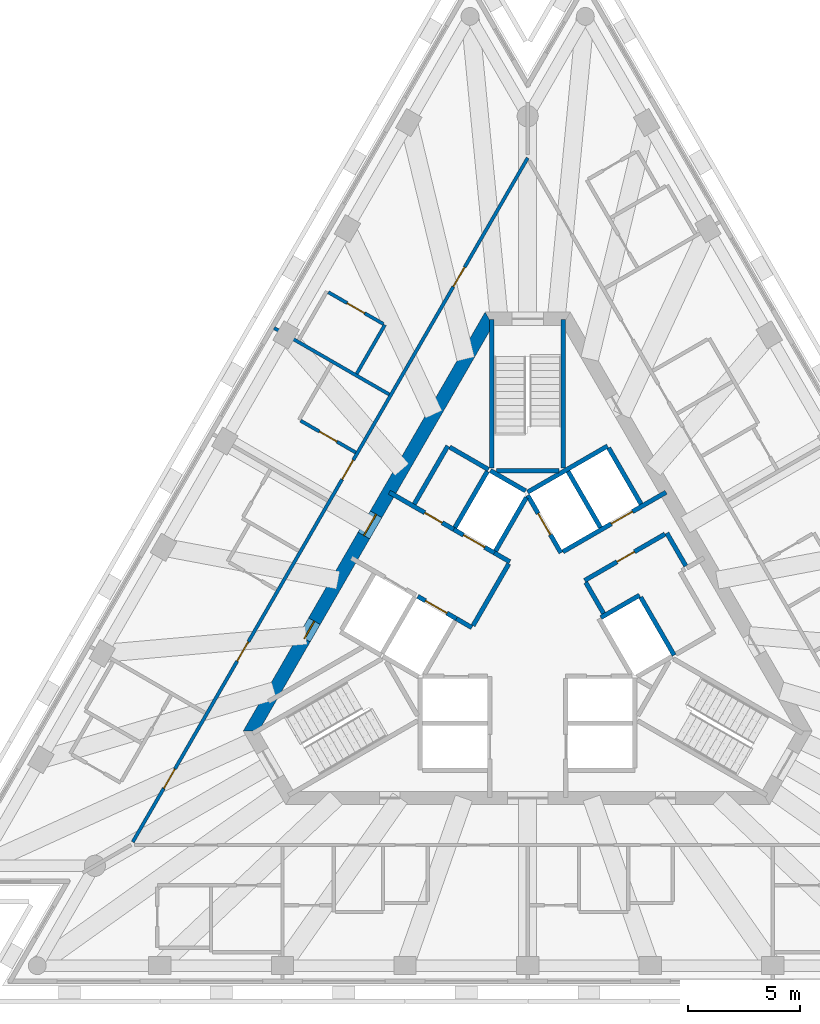
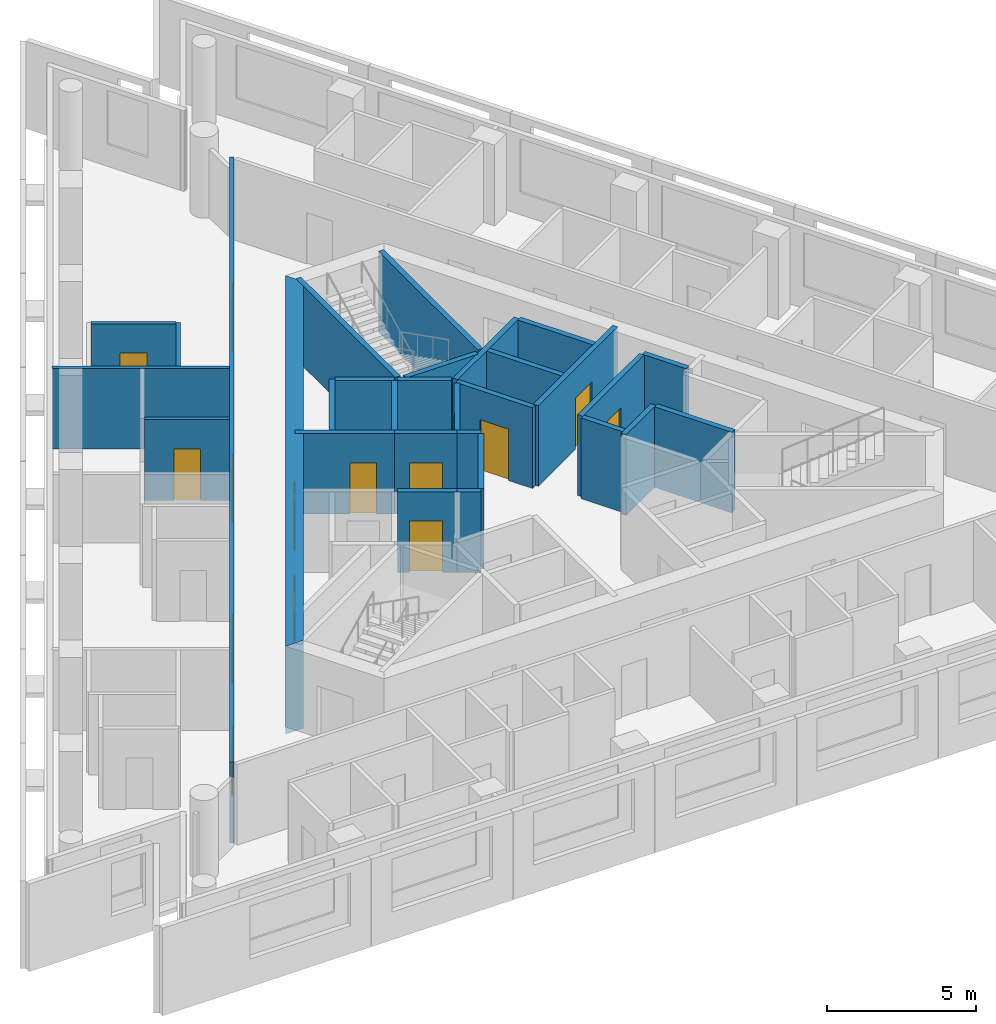
# One storey, part 5 of 9: 30 walls, 14 doors, 14 openings.
"""IFC4 building model written with IfcOpenShell, lengths in metres."""

from ifc_helpers import new_model, si_unit, direction, frame, frame_2d, origin, place, context, subcontext, project, spatial, polyline, rectangle, outline, extrude, material, layer, layer_set, type_object, element, fill, save


model = new_model("IFC4")

# Units and contexts
model_context = context("Model", 3, precision=1e-05, world=origin(), true_north=direction((0.0, 1.0)))
body_context = subcontext(model_context, "Body", "Model", "MODEL_VIEW")
ifc_project = project(units=[si_unit("LENGTHUNIT", "METRE"), si_unit("AREAUNIT", "SQUARE_METRE"), si_unit("VOLUMEUNIT", "CUBIC_METRE"), si_unit("PLANEANGLEUNIT", "RADIAN"), si_unit("MASSUNIT", "GRAM", prefix="KILO")], contexts=[model_context])

# Site, building, storey
site_placement = place(None, origin())
site = spatial("IfcSite", under=ifc_project, at=site_placement, CompositionType="ELEMENT")
building_placement = place(site_placement, origin())
building = spatial("IfcBuilding", under=site, at=building_placement, Name="Triada Interchange Tower", CompositionType="ELEMENT")
storey_placement = place(building_placement, frame((0.0, 0.0, 286.300048828125)))
storey = spatial("IfcBuildingStorey", under=building, at=storey_placement, Name="L67", CompositionType="ELEMENT", Elevation=286.300048828125)

# Wall
ifc_material_1 = material(Name="Concrete C30/37", Category="concrete")
ifc_layer_1 = layer(ifc_material_1, 0.199951171875)
ifc_layer_set_1 = layer_set([ifc_layer_1], Name="CORE WALL 200 EI 120")
wall_type_1 = type_object("IfcWallType", Name="CORE WALL 200 EI 120", PredefinedType="SOLIDWALL", material=ifc_layer_set_1)
wall_1_placement = place(storey_placement, frame((-0.001953125, 5.541015625, 0.0), z_axis=(0.0, 0.0, 1.0), x_axis=(0.86600155993, 0.500041296494, 0.0)))
element("IfcWall", 1, at=wall_1_placement, inside=storey, type_object=wall_type_1, Name="Wall L65 80", PredefinedType="SOLIDWALL", context=body_context, shape_type="SweptSolid", body=[
    extrude(rectangle(XDim=4.131591796875, YDim=0.199951171875, at=frame_2d((2.06591796875, 0.0))), origin(), (0.0, 0.0, 1.0), 3.300048828125),
])

# Wall, opening, door
wall_2_placement = place(storey_placement, frame((0.0, 5.39990234375, 0.0), z_axis=(0.0, 0.0, 1.0), x_axis=(0.500103862429, -0.865965430478, 0.0)))
wall_2 = element("IfcWall", 2, at=wall_2_placement, inside=storey, type_object=wall_type_1, Name="Wall L65 81", PredefinedType="SOLIDWALL", context=body_context, shape_type="SweptSolid", body=[
    extrude(rectangle(XDim=2.973388671875, YDim=0.199951171875, at=frame_2d((1.48681640625, 0.0))), origin(), (0.0, 0.0, 1.0), 3.300048828125),
])
opening_1_placement = place(wall_2_placement, frame((0.93701171875, 0.0, 0.0)))
opening_1 = element("IfcOpeningElement", 3, at=opening_1_placement, cuts=wall_2, Name="Opening LD-HR5", PredefinedType="OPENING", context=body_context, shape_type="SweptSolid", body=[
    extrude(rectangle(XDim=1.10009765625, YDim=2.10009765625, at=frame_2d((0.550048828125, 1.050048828125))), frame((0.0, 0.10986328125, 0.0), z_axis=(0.0, -1.0, 0.0), x_axis=(1.0, 0.0, 0.0)), (0.0, 0.0, 1.0), 0.219970703125),
])
ifc_material_2 = material(Name="Steel S235 door leaf", Category="steel")
door_type_1 = type_object("IfcDoorType", Name="LIFT LANDING DOOR 1100 EI 120", OperationType="SLIDING_TO_LEFT", PredefinedType="DOOR", material=ifc_material_2)
door_1_placement = place(opening_1_placement, origin())
door_1 = element("IfcDoor", 4, at=door_1_placement, inside=storey, type_object=door_type_1, Name="HR5 landing door L67", OperationType="SLIDING_TO_LEFT", OverallHeight=2.10009765625, OverallWidth=1.10009765625, PredefinedType="DOOR", context=body_context, shape_type="SweptSolid", body=[
    extrude(rectangle(XDim=1.10009765625, YDim=2.10009765625, at=frame_2d((0.550048828125, 1.050048828125))), frame((0.0, 0.02490234375, 0.0), z_axis=(0.0, -1.0, 0.0), x_axis=(1.0, 0.0, 0.0)), (0.0, 0.0, 1.0), 0.050048828125),
])
fill(opening_1, door_1)

wall_3_placement = place(storey_placement, frame((1.577880859375, 2.8740234375, 0.0), z_axis=(0.0, 0.0, 1.0), x_axis=(0.866045911672, 0.499964477614, 0.0)))
wall_3 = element("IfcWall", 5, at=wall_3_placement, inside=storey, type_object=wall_type_1, Name="Wall L65 83", PredefinedType="SOLIDWALL", context=body_context, shape_type="SweptSolid", body=[
    extrude(rectangle(XDim=5.32666015625, YDim=0.199951171875, at=frame_2d((2.663330078125, 0.0))), origin(), (0.0, 0.0, 1.0), 3.300048828125),
])
opening_2_placement = place(wall_3_placement, frame((2.49609375, 0.0, 0.0)))
opening_2 = element("IfcOpeningElement", 6, at=opening_2_placement, cuts=wall_3, Name="Opening LD-HR6", PredefinedType="OPENING", context=body_context, shape_type="SweptSolid", body=[
    extrude(rectangle(XDim=1.10009765625, YDim=2.10009765625, at=frame_2d((0.550048828125, 1.050048828125))), frame((0.0, 0.10986328125, 0.0), z_axis=(0.0, -1.0, 0.0), x_axis=(1.0, 0.0, 0.0)), (0.0, 0.0, 1.0), 0.219970703125),
])
door_2_placement = place(opening_2_placement, origin())
door_2 = element("IfcDoor", 7, at=door_2_placement, inside=storey, type_object=door_type_1, Name="HR6 landing door L67", OperationType="SLIDING_TO_LEFT", OverallHeight=2.10009765625, OverallWidth=1.10009765625, PredefinedType="DOOR", context=body_context, shape_type="SweptSolid", body=[
    extrude(rectangle(XDim=1.10009765625, YDim=2.10009765625, at=frame_2d((0.550048828125, 1.050048828125))), frame((0.0, 0.02490234375, 0.0), z_axis=(0.0, -1.0, 0.0), x_axis=(1.0, 0.0, 0.0)), (0.0, 0.0, 1.0), 0.050048828125),
])
fill(opening_2, door_2)

# Walls
wall_4_placement = place(storey_placement, frame((3.278076171875, -0.071044921875, 0.0), z_axis=(0.0, 0.0, 1.0), x_axis=(0.865855657918, 0.500293893279, 0.0)))
element("IfcWall", 8, at=wall_4_placement, inside=storey, type_object=wall_type_1, Name="Wall L65 86", PredefinedType="SOLIDWALL", context=body_context, shape_type="SweptSolid", body=[
    extrude(rectangle(XDim=1.996826171875, YDim=0.199951171875, at=frame_2d((0.99853515625, 0.0))), origin(), (0.0, 0.0, 1.0), 3.300048828125),
])
for number, where, z_axis, x_axis, name in (
    (9, (3.6259765625, 7.52001953125, 0.0), (0.0, 0.0, 1.0), (0.500060147554, -0.865990674793, 0.0), "Wall L65 88"),
    (10, (1.806884765625, 6.469970703125, 0.0), (0.0, 0.0, 1.0), (0.50012328804, -0.865954211699, 0.0), "Wall L65 89"),
):
    element("IfcWall", number, at=place(storey_placement, frame(where, z_axis=z_axis, x_axis=x_axis)), inside=storey, type_object=wall_type_1, Name=name, PredefinedType="SOLIDWALL", context=body_context, shape_type="SweptSolid", body=[
        extrude(rectangle(XDim=2.899658203125, YDim=0.199951171875, at=frame_2d((1.44970703125, 0.0))), origin(), (0.0, 0.0, 1.0), 3.300048828125),
    ])
wall_5_placement = place(storey_placement, frame((5.056884765625, 0.841064453125, 0.0), z_axis=(0.0, 0.0, 1.0), x_axis=(0.499990139034, -0.866031096941, 0.0)))
element("IfcWall", 11, at=wall_5_placement, inside=storey, type_object=wall_type_1, Name="Wall L65 90", PredefinedType="SOLIDWALL", context=body_context, shape_type="SweptSolid", body=[
    extrude(rectangle(XDim=3.0, YDim=0.199951171875, at=frame_2d((1.5, 0.0))), origin(), (0.0, 0.0, 1.0), 3.300048828125),
])
wall_6_placement = place(storey_placement, frame((6.22900390625, 3.7119140625, 0.0), z_axis=(0.0, 0.0, 1.0), x_axis=(0.499875724984, -0.86609714211, 0.0)))
element("IfcWall", 12, at=wall_6_placement, inside=storey, type_object=wall_type_1, Name="Wall L65 92", PredefinedType="SOLIDWALL", context=body_context, shape_type="SweptSolid", body=[
    extrude(rectangle(XDim=1.70068359375, YDim=0.199951171875, at=frame_2d((0.850341796875, 0.0))), origin(), (0.0, 0.0, 1.0), 3.300048828125),
])

# Wall, opening, door
wall_7_placement = place(storey_placement, frame((2.548095703125, 1.5869140625, 0.0), z_axis=(0.0, 0.0, 1.0), x_axis=(0.866004344652, 0.500036473714, 0.0)))
wall_7 = element("IfcWall", 13, at=wall_7_placement, inside=storey, type_object=wall_type_1, Name="Wall L65 93", PredefinedType="SOLIDWALL", context=body_context, shape_type="SweptSolid", body=[
    extrude(rectangle(XDim=4.150146484375, YDim=0.199951171875, at=frame_2d((2.0751953125, 0.0))), origin(), (0.0, 0.0, 1.0), 3.300048828125),
])
opening_3_placement = place(wall_7_placement, frame((1.675048828125, 0.0, 0.0)))
opening_3 = element("IfcOpeningElement", 14, at=opening_3_placement, cuts=wall_7, Name="Opening D65-58", PredefinedType="OPENING", context=body_context, shape_type="SweptSolid", body=[
    extrude(rectangle(XDim=0.89990234375, YDim=2.10009765625, at=frame_2d((0.449951171875, 1.050048828125))), frame((0.0, 0.10986328125, 0.0), z_axis=(0.0, -1.0, 0.0), x_axis=(1.0, 0.0, 0.0)), (0.0, 0.0, 1.0), 0.219970703125),
])
door_type_2 = type_object("IfcDoorType", Name="SERVICE DOOR 900 EI2 45-C5S200", OperationType="NOTDEFINED", PredefinedType="DOOR", material=ifc_material_2)
door_3_placement = place(opening_3_placement, origin())
door_3 = element("IfcDoor", 15, at=door_3_placement, inside=storey, type_object=door_type_2, Name="Door D65-58 L67", OperationType="SINGLE_SWING_RIGHT", OverallHeight=2.10009765625, OverallWidth=0.89990234375, PredefinedType="DOOR", context=body_context, shape_type="SweptSolid", body=[
    extrude(rectangle(XDim=0.89990234375, YDim=2.10009765625, at=frame_2d((0.449951171875, 1.050048828125))), frame((0.0, 0.02490234375, 0.0), z_axis=(0.0, -1.0, 0.0), x_axis=(1.0, 0.0, 0.0)), (0.0, 0.0, 1.0), 0.050048828125),
])
fill(opening_3, door_3)

# Walls
wall_8_placement = place(storey_placement, frame((2.597900390625, 1.5, 0.0), z_axis=(0.0, 0.0, 1.0), x_axis=(0.499929347863, -0.866066190972, 0.0)))
element("IfcWall", 16, at=wall_8_placement, inside=storey, type_object=wall_type_1, Name="Wall L65 94", PredefinedType="SOLIDWALL", context=body_context, shape_type="SweptSolid", body=[
    extrude(rectangle(XDim=1.600341796875, YDim=0.199951171875, at=frame_2d((0.80029296875, 0.0))), origin(), (0.0, 0.0, 1.0), 3.300048828125),
])
ifc_layer_2 = layer(ifc_material_1, 0.199951171875)
ifc_layer_set_2 = layer_set([ifc_layer_2], Name="CORE WALL 200 EI 180")
wall_type_2 = type_object("IfcWallType", Name="CORE WALL 200 EI 180", PredefinedType="SOLIDWALL", material=ifc_layer_set_2)
wall_9_placement = place(storey_placement, frame((-3.18798828125, -0.1220703125, 0.0), z_axis=(0.0, 0.0, 1.0), x_axis=(0.865705793592, -0.50055317294, 0.0)))
element("IfcWall", 17, at=wall_9_placement, inside=storey, type_object=wall_type_2, Name="Wall L65 96", PredefinedType="SOLIDWALL", context=body_context, shape_type="SweptSolid", body=[
    extrude(rectangle(XDim=0.796875, YDim=0.199951171875, at=frame_2d((0.3984375, 0.0))), origin(), (0.0, 0.0, 1.0), 3.300048828125),
])

# Wall, opening, door
wall_10_placement = place(storey_placement, frame((-6.19091796875, 5.537109375, 0.0), z_axis=(0.0, 0.0, 1.0), x_axis=(0.866052607023, -0.499952879648, 0.0)))
wall_10 = element("IfcWall", 18, at=wall_10_placement, inside=storey, type_object=wall_type_2, Name="Wall L65 97", PredefinedType="SOLIDWALL", context=body_context, shape_type="SweptSolid", body=[
    extrude(rectangle(XDim=3.332275390625, YDim=0.199951171875, at=frame_2d((1.666015625, 0.0))), origin(), (0.0, 0.0, 1.0), 3.300048828125),
])
opening_4_placement = place(wall_10_placement, frame((1.830078125, 0.0, 0.0)))
opening_4 = element("IfcOpeningElement", 19, at=opening_4_placement, cuts=wall_10, Name="Opening D65-10", PredefinedType="OPENING", context=body_context, shape_type="SweptSolid", body=[
    extrude(rectangle(XDim=0.89990234375, YDim=2.10009765625, at=frame_2d((0.449951171875, 1.050048828125))), frame((0.0, 0.10986328125, 0.0), z_axis=(0.0, -1.0, 0.0), x_axis=(1.0, 0.0, 0.0)), (0.0, 0.0, 1.0), 0.219970703125),
])
door_type_3 = type_object("IfcDoorType", Name="SERVICE DOOR 900 EI2 90-C5S200", OperationType="NOTDEFINED", PredefinedType="DOOR", material=ifc_material_2)
door_4_placement = place(opening_4_placement, origin())
door_4 = element("IfcDoor", 20, at=door_4_placement, inside=storey, type_object=door_type_3, Name="Door D65-10 L67", OperationType="SINGLE_SWING_LEFT", OverallHeight=2.10009765625, OverallWidth=0.89990234375, PredefinedType="DOOR", context=body_context, shape_type="SweptSolid", body=[
    extrude(rectangle(XDim=0.89990234375, YDim=2.10009765625, at=frame_2d((0.449951171875, 1.050048828125))), frame((0.0, 0.02490234375, 0.0), z_axis=(0.0, -1.0, 0.0), x_axis=(1.0, 0.0, 0.0)), (0.0, 0.0, 1.0), 0.050048828125),
])
fill(opening_4, door_4)

# Walls
wall_11_placement = place(storey_placement, frame((-1.488037109375, 2.822021484375, 0.0), z_axis=(0.0, 0.0, 1.0), x_axis=(0.866236612152, -0.499633997809, 0.0)))
element("IfcWall", 21, at=wall_11_placement, inside=storey, type_object=wall_type_2, Name="Wall L65 98", PredefinedType="SOLIDWALL", context=body_context, shape_type="SweptSolid", body=[
    extrude(rectangle(XDim=0.79638671875, YDim=0.199951171875, at=frame_2d((0.398193359375, 0.0))), origin(), (0.0, 0.0, 1.0), 3.300048828125),
])
wall_12_placement = place(storey_placement, frame((-5.075927734375, 5.009033203125, 0.0), z_axis=(0.0, 0.0, 1.0), x_axis=(0.50002537861, 0.866010750942, 0.0)))
element("IfcWall", 22, at=wall_12_placement, inside=storey, type_object=wall_type_2, Name="Wall L65 99", PredefinedType="SOLIDWALL", context=body_context, shape_type="SweptSolid", body=[
    extrude(rectangle(XDim=2.999755859375, YDim=0.199951171875, at=frame_2d((1.5, 0.0))), origin(), (0.0, 0.0, 1.0), 3.300048828125),
])
wall_13_placement = place(storey_placement, frame((-3.489013671875, 7.556884765625, 0.0), z_axis=(0.0, 0.0, 1.0), x_axis=(0.866010750942, -0.50002537861, 0.0)))
element("IfcWall", 23, at=wall_13_placement, inside=storey, type_object=wall_type_2, Name="Wall L65 100", PredefinedType="SOLIDWALL", context=body_context, shape_type="SweptSolid", body=[
    extrude(rectangle(XDim=2.0, YDim=0.199951171875, at=frame_2d((1.0, 0.0))), origin(), (0.0, 0.0, 1.0), 3.300048828125),
])
wall_14_placement = place(storey_placement, frame((-2.444091796875, -0.43310546875, 0.0), z_axis=(0.0, 0.0, 1.0), x_axis=(0.500035624827, 0.866004834804, 0.0)))
element("IfcWall", 24, at=wall_14_placement, inside=storey, type_object=wall_type_2, Name="Wall L65 101", PredefinedType="SOLIDWALL", context=body_context, shape_type="SweptSolid", body=[
    extrude(rectangle(XDim=3.194091796875, YDim=0.199951171875, at=frame_2d((1.59716796875, 0.0))), origin(), (0.0, 0.0, 1.0), 3.300048828125),
])

# Wall, opening, door
wall_15_placement = place(storey_placement, frame((-4.922119140625, 0.87890625, 0.0), z_axis=(0.0, 0.0, 1.0), x_axis=(0.866073918653, -0.499915960366, 0.0)))
wall_15 = element("IfcWall", 25, at=wall_15_placement, inside=storey, type_object=wall_type_2, Name="Shaft wall FF1 L65 104", PredefinedType="SOLIDWALL", context=body_context, shape_type="SweptSolid", body=[
    extrude(rectangle(XDim=2.002197265625, YDim=0.199951171875, at=frame_2d((1.0009765625, 0.0))), origin(), (0.0, 0.0, 1.0), 3.300048828125),
])
opening_5_placement = place(wall_15_placement, frame((0.402099609375, 0.0, 0.0)))
opening_5 = element("IfcOpeningElement", 26, at=opening_5_placement, cuts=wall_15, Name="Opening LD-FF1", PredefinedType="OPENING", context=body_context, shape_type="SweptSolid", body=[
    extrude(rectangle(XDim=1.10009765625, YDim=2.10009765625, at=frame_2d((0.550048828125, 1.050048828125))), frame((0.0, 0.10986328125, 0.0), z_axis=(0.0, -1.0, 0.0), x_axis=(1.0, 0.0, 0.0)), (0.0, 0.0, 1.0), 0.219970703125),
])
door_5_placement = place(opening_5_placement, origin())
door_5 = element("IfcDoor", 27, at=door_5_placement, inside=storey, type_object=door_type_1, Name="FF1 landing door L67", OperationType="SLIDING_TO_LEFT", OverallHeight=2.10009765625, OverallWidth=1.10009765625, PredefinedType="DOOR", context=body_context, shape_type="SweptSolid", body=[
    extrude(rectangle(XDim=1.10009765625, YDim=2.10009765625, at=frame_2d((0.550048828125, 1.050048828125))), frame((0.0, 0.02490234375, 0.0), z_axis=(0.0, -1.0, 0.0), x_axis=(1.0, 0.0, 0.0)), (0.0, 0.0, 1.0), 0.050048828125),
])
fill(opening_5, door_5)

wall_16_placement = place(storey_placement, frame((-3.30908203125, 3.873046875, 0.0), z_axis=(0.0, 0.0, 1.0), x_axis=(0.866098583652, -0.499873227325, 0.0)))
wall_16 = element("IfcWall", 28, at=wall_16_placement, inside=storey, type_object=wall_type_2, Name="Shaft wall FF2 L65 106", PredefinedType="SOLIDWALL", context=body_context, shape_type="SweptSolid", body=[
    extrude(rectangle(XDim=2.1025390625, YDim=0.199951171875, at=frame_2d((1.05126953125, 0.0))), origin(), (0.0, 0.0, 1.0), 3.300048828125),
])
opening_6_placement = place(wall_16_placement, frame((0.501953125, 0.0, 0.0)))
opening_6 = element("IfcOpeningElement", 29, at=opening_6_placement, cuts=wall_16, Name="Opening LD-FF2", PredefinedType="OPENING", context=body_context, shape_type="SweptSolid", body=[
    extrude(rectangle(XDim=1.10009765625, YDim=2.10009765625, at=frame_2d((0.550048828125, 1.050048828125))), frame((0.0, 0.10986328125, 0.0), z_axis=(0.0, -1.0, 0.0), x_axis=(1.0, 0.0, 0.0)), (0.0, 0.0, 1.0), 0.219970703125),
])
door_6_placement = place(opening_6_placement, origin())
door_6 = element("IfcDoor", 30, at=door_6_placement, inside=storey, type_object=door_type_1, Name="FF2 landing door L67", OperationType="SLIDING_TO_LEFT", OverallHeight=2.10009765625, OverallWidth=1.10009765625, PredefinedType="DOOR", context=body_context, shape_type="SweptSolid", body=[
    extrude(rectangle(XDim=1.10009765625, YDim=2.10009765625, at=frame_2d((0.550048828125, 1.050048828125))), frame((0.0, 0.02490234375, 0.0), z_axis=(0.0, -1.0, 0.0), x_axis=(1.0, 0.0, 0.0)), (0.0, 0.0, 1.0), 0.050048828125),
])
fill(opening_6, door_6)

# Walls
wall_17_placement = place(storey_placement, frame((-3.257080078125, 3.958984375, 0.0), z_axis=(0.0, 0.0, 1.0), x_axis=(0.50012328804, 0.865954211699, 0.0)))
element("IfcWall", 31, at=wall_17_placement, inside=storey, type_object=wall_type_2, Name="Shaft wall FF2 L65 107", PredefinedType="SOLIDWALL", context=body_context, shape_type="SweptSolid", body=[
    extrude(rectangle(XDim=2.899658203125, YDim=0.199951171875, at=frame_2d((1.44970703125, 0.0))), origin(), (0.0, 0.0, 1.0), 3.300048828125),
])
wall_18_placement = place(storey_placement, frame((-1.669921875, 6.507080078125, 0.0), z_axis=(0.0, 0.0, 1.0), x_axis=(0.865941441609, -0.500145398563, 0.0)))
element("IfcWall", 32, at=wall_18_placement, inside=storey, type_object=wall_type_2, Name="Shaft wall FF2 L65 108", PredefinedType="SOLIDWALL", context=body_context, shape_type="SweptSolid", body=[
    extrude(rectangle(XDim=1.8154296875, YDim=0.199951171875, at=frame_2d((0.90771484375, 0.0))), origin(), (0.0, 0.0, 1.0), 3.300048828125),
])
wall_19_placement = place(storey_placement, frame((-1.43798828125, 2.908935546875, 0.0), z_axis=(0.0, 0.0, 1.0), x_axis=(0.499829630636, 0.866123744241, 0.0)))
element("IfcWall", 33, at=wall_19_placement, inside=storey, type_object=wall_type_2, Name="Shaft wall FF2 L65 109", PredefinedType="SOLIDWALL", context=body_context, shape_type="SweptSolid", body=[
    extrude(rectangle(XDim=2.7607421875, YDim=0.199951171875, at=frame_2d((1.38037109375, 0.0))), origin(), (0.0, 0.0, 1.0), 3.300048828125),
])
ifc_layer_3 = layer(ifc_material_1, 0.199951171875)
ifc_layer_set_3 = layer_set([ifc_layer_3], Name="CORE WALL 200 REI 240")
wall_type_3 = type_object("IfcWallType", Name="CORE WALL 200 REI 240", PredefinedType="SOLIDWALL", material=ifc_layer_set_3)
wall_20_placement = place(storey_placement, frame((1.60009765625, 6.614990234375, 0.0), z_axis=(0.0, 0.0, 1.0), x_axis=(0.0, 1.0, 0.0)))
element("IfcWall", 34, at=wall_20_placement, inside=storey, type_object=wall_type_3, Name="Wall L65 118", PredefinedType="SOLIDWALL", context=body_context, shape_type="SweptSolid", body=[
    extrude(rectangle(XDim=6.6650390625, YDim=0.199951171875, at=frame_2d((3.33251953125, 0.0))), origin(), (0.0, 0.0, 1.0), 3.300048828125),
])
wall_21_placement = place(storey_placement, frame((-1.39990234375, 6.5, 0.0), z_axis=(0.0, 0.0, 1.0), x_axis=(1.0, 0.0, 0.0)))
element("IfcWall", 35, at=wall_21_placement, inside=storey, type_object=wall_type_3, Name="Wall L65 119", PredefinedType="SOLIDWALL", context=body_context, shape_type="SweptSolid", body=[
    extrude(rectangle(XDim=2.7998046875, YDim=0.199951171875, at=frame_2d((1.39990234375, 0.0))), origin(), (0.0, 0.0, 1.0), 3.300048828125),
])
wall_22_placement = place(storey_placement, frame((-1.60009765625, 6.614990234375, 0.0), z_axis=(0.0, 0.0, 1.0), x_axis=(0.0, 1.0, 0.0)))
element("IfcWall", 36, at=wall_22_placement, inside=storey, type_object=wall_type_3, Name="Wall L65 120", PredefinedType="SOLIDWALL", context=body_context, shape_type="SweptSolid", body=[
    extrude(rectangle(XDim=6.6650390625, YDim=0.199951171875, at=frame_2d((3.33251953125, 0.0))), origin(), (0.0, 0.0, 1.0), 3.300048828125),
])

# Wall, openings, doors
ifc_material_3 = material(Name="Concrete C40/50", Category="concrete")
ifc_layer_4 = layer(ifc_material_3, 0.60009765625)
ifc_layer_set_4 = layer_set([ifc_layer_4], Name="Core wall D 600")
wall_type_4 = type_object("IfcWallType", Name="Core wall D 600", PredefinedType="SHEAR", material=ifc_layer_set_4)
wall_23_placement = place(storey_placement, frame((-1.73193359375, 13.300048828125, -0.300048828125), z_axis=(0.0, 0.0, 1.0), x_axis=(-0.500000539815, -0.866025092122, 0.0)))
wall_23 = element("IfcWall", 37, at=wall_23_placement, inside=storey, type_object=wall_type_4, Name="Core wall WD02 L67", PredefinedType="SHEAR", context=body_context, shape_type="SweptSolid", body=[
    extrude(outline(polyline([(-0.173095703125, -0.300048828125), (1.795166015625, -0.300048828125), (3.763427734375, -0.30029296875), (5.731689453125, -0.30029296875), (7.699951171875, -0.30029296875), (9.668212890625, -0.300537109375), (11.63671875, -0.300537109375), (13.60498046875, -0.30078125), (15.5732421875, -0.30078125), (17.54150390625, -0.30078125), (19.509765625, -0.301025390625), (21.47802734375, -0.301025390625), (21.131103515625, 0.300048828125), (19.225830078125, 0.300048828125), (17.320556640625, 0.300048828125), (15.415283203125, 0.300048828125), (13.510009765625, 0.300048828125), (11.604736328125, 0.300048828125), (9.699462890625, 0.300048828125), (7.794189453125, 0.300048828125), (5.888916015625, 0.300048828125), (3.983642578125, 0.300048828125), (2.078369140625, 0.300048828125), (0.173095703125, 0.300048828125), (-0.173095703125, -0.300048828125)])), origin(), (0.0, 0.0, 1.0), 3.60009765625),
])
opening_7_placement = place(wall_23_placement, frame((10.10205078125, 0.0, 0.300048828125)))
opening_7 = element("IfcOpeningElement", 38, at=opening_7_placement, cuts=wall_23, Name="Opening D65-52", PredefinedType="OPENING", context=body_context, shape_type="SweptSolid", body=[
    extrude(rectangle(XDim=1.10009765625, YDim=2.10009765625, at=frame_2d((0.550048828125, 1.050048828125))), frame((0.0, 0.31005859375, 0.0), z_axis=(0.0, -1.0, 0.0), x_axis=(1.0, 0.0, 0.0)), (0.0, 0.0, 1.0), 0.62109375),
])
opening_8_placement = place(wall_23_placement, frame((15.626953125, 0.0, 0.300048828125)))
opening_8 = element("IfcOpeningElement", 39, at=opening_8_placement, cuts=wall_23, Name="Opening D65-53", PredefinedType="OPENING", context=body_context, shape_type="SweptSolid", body=[
    extrude(rectangle(XDim=0.89990234375, YDim=2.10009765625, at=frame_2d((0.449951171875, 1.050048828125))), frame((0.0, 0.31005859375, 0.0), z_axis=(0.0, -1.0, 0.0), x_axis=(1.0, 0.0, 0.0)), (0.0, 0.0, 1.0), 0.62109375),
])
door_type_4 = type_object("IfcDoorType", Name="FIRE LOBBY DOOR 1100 EI2 90-C5S200", OperationType="NOTDEFINED", PredefinedType="DOOR", material=ifc_material_2)
door_7_placement = place(opening_7_placement, origin())
door_7 = element("IfcDoor", 40, at=door_7_placement, inside=storey, type_object=door_type_4, Name="Door D65-52 L67", OperationType="SINGLE_SWING_RIGHT", OverallHeight=2.10009765625, OverallWidth=1.10009765625, PredefinedType="DOOR", context=body_context, shape_type="SweptSolid", body=[
    extrude(rectangle(XDim=1.10009765625, YDim=2.10009765625, at=frame_2d((0.550048828125, 1.050048828125))), frame((0.0, 0.02490234375, 0.0), z_axis=(0.0, -1.0, 0.0), x_axis=(1.0, 0.0, 0.0)), (0.0, 0.0, 1.0), 0.050048828125),
])
fill(opening_7, door_7)
door_type_5 = type_object("IfcDoorType", Name="RISER ACCESS DOOR 900 EI2 45-C5S200", OperationType="NOTDEFINED", PredefinedType="DOOR", material=ifc_material_2)
door_8_placement = place(opening_8_placement, origin())
door_8 = element("IfcDoor", 41, at=door_8_placement, inside=storey, type_object=door_type_5, Name="Door D65-53 L67", OperationType="SINGLE_SWING_RIGHT", OverallHeight=2.10009765625, OverallWidth=0.89990234375, PredefinedType="DOOR", context=body_context, shape_type="SweptSolid", body=[
    extrude(rectangle(XDim=0.89990234375, YDim=2.10009765625, at=frame_2d((0.449951171875, 1.050048828125))), frame((0.0, 0.02490234375, 0.0), z_axis=(0.0, -1.0, 0.0), x_axis=(1.0, 0.0, 0.0)), (0.0, 0.0, 1.0), 0.050048828125),
])
fill(opening_8, door_8)

ifc_material_4 = material(Name="Gypsum board partition")
ifc_layer_5 = layer(ifc_material_4, 0.14990234375)
ifc_layer_set_5 = layer_set([ifc_layer_5], Name="PARTITION 150 EI 180")
wall_type_5 = type_object("IfcWallType", Name="PARTITION 150 EI 180", PredefinedType="PARTITIONING", material=ifc_layer_set_5)
wall_24_placement = place(storey_placement, frame((-17.677978515625, -10.118896484375, 0.0), z_axis=(0.0, 0.0, 1.0), x_axis=(0.500003190174, 0.866023561929, 0.0)))
wall_24 = element("IfcWall", 42, at=wall_24_placement, inside=storey, type_object=wall_type_5, Name="Wall L65 4", PredefinedType="PARTITIONING", context=body_context, shape_type="SweptSolid", body=[
    extrude(rectangle(XDim=35.355712890625, YDim=0.14990234375, at=frame_2d((17.677734375, 0.0))), origin(), (0.0, 0.0, 1.0), 3.300048828125),
])
opening_9_placement = place(wall_24_placement, frame((28.7060546875, 0.0, 0.0)))
opening_9 = element("IfcOpeningElement", 43, at=opening_9_placement, cuts=wall_24, Name="Opening D65-38", PredefinedType="OPENING", context=body_context, shape_type="SweptSolid", body=[
    extrude(rectangle(XDim=1.0, YDim=2.10009765625, at=frame_2d((0.5, 1.050048828125))), frame((0.0, 0.0849609375, 0.0), z_axis=(0.0, -1.0, 0.0), x_axis=(1.0, 0.0, 0.0)), (0.0, 0.0, 1.0), 0.169921875),
])
opening_10_placement = place(wall_24_placement, frame((18.739990234375, 0.0, 0.0)))
opening_10 = element("IfcOpeningElement", 44, at=opening_10_placement, cuts=wall_24, Name="Opening D65-40", PredefinedType="OPENING", context=body_context, shape_type="SweptSolid", body=[
    extrude(rectangle(XDim=1.0, YDim=2.10009765625, at=frame_2d((0.5, 1.050048828125))), frame((0.0, 0.0849609375, 0.0), z_axis=(0.0, -1.0, 0.0), x_axis=(1.0, 0.0, 0.0)), (0.0, 0.0, 1.0), 0.169921875),
])
opening_11_placement = place(wall_24_placement, frame((9.35205078125, 0.0, 0.0)))
opening_11 = element("IfcOpeningElement", 45, at=opening_11_placement, cuts=wall_24, Name="Opening D65-42", PredefinedType="OPENING", context=body_context, shape_type="SweptSolid", body=[
    extrude(rectangle(XDim=1.0, YDim=2.10009765625, at=frame_2d((0.5, 1.050048828125))), frame((0.0, 0.0849609375, 0.0), z_axis=(0.0, -1.0, 0.0), x_axis=(1.0, 0.0, 0.0)), (0.0, 0.0, 1.0), 0.169921875),
])
opening_12_placement = place(wall_24_placement, frame((2.777099609375, 0.0, 0.0)))
opening_12 = element("IfcOpeningElement", 46, at=opening_12_placement, cuts=wall_24, Name="Opening D65-45", PredefinedType="OPENING", context=body_context, shape_type="SweptSolid", body=[
    extrude(rectangle(XDim=1.0, YDim=2.10009765625, at=frame_2d((0.5, 1.050048828125))), frame((0.0, 0.0849609375, 0.0), z_axis=(0.0, -1.0, 0.0), x_axis=(1.0, 0.0, 0.0)), (0.0, 0.0, 1.0), 0.169921875),
])
door_type_6 = type_object("IfcDoorType", Name="GUEST ROOM DOOR 1000 EI2 90-C5S200", OperationType="NOTDEFINED", PredefinedType="DOOR", material=ifc_material_2)
door_9_placement = place(opening_9_placement, origin())
door_9 = element("IfcDoor", 47, at=door_9_placement, inside=storey, type_object=door_type_6, Name="Door D65-38 L67", OperationType="SINGLE_SWING_RIGHT", OverallHeight=2.10009765625, OverallWidth=1.0, PredefinedType="DOOR", context=body_context, shape_type="SweptSolid", body=[
    extrude(rectangle(XDim=1.0, YDim=2.10009765625, at=frame_2d((0.5, 1.050048828125))), frame((0.0, 0.02490234375, 0.0), z_axis=(0.0, -1.0, 0.0), x_axis=(1.0, 0.0, 0.0)), (0.0, 0.0, 1.0), 0.050048828125),
])
fill(opening_9, door_9)
door_10_placement = place(opening_10_placement, origin())
door_10 = element("IfcDoor", 48, at=door_10_placement, inside=storey, type_object=door_type_6, Name="Door D65-40 L67", OperationType="SINGLE_SWING_LEFT", OverallHeight=2.10009765625, OverallWidth=1.0, PredefinedType="DOOR", context=body_context, shape_type="SweptSolid", body=[
    extrude(rectangle(XDim=1.0, YDim=2.10009765625, at=frame_2d((0.5, 1.050048828125))), frame((0.0, 0.02490234375, 0.0), z_axis=(0.0, -1.0, 0.0), x_axis=(1.0, 0.0, 0.0)), (0.0, 0.0, 1.0), 0.050048828125),
])
fill(opening_10, door_10)
door_11_placement = place(opening_11_placement, origin())
door_11 = element("IfcDoor", 49, at=door_11_placement, inside=storey, type_object=door_type_6, Name="Door D65-42 L67", OperationType="SINGLE_SWING_LEFT", OverallHeight=2.10009765625, OverallWidth=1.0, PredefinedType="DOOR", context=body_context, shape_type="SweptSolid", body=[
    extrude(rectangle(XDim=1.0, YDim=2.10009765625, at=frame_2d((0.5, 1.050048828125))), frame((0.0, 0.02490234375, 0.0), z_axis=(0.0, -1.0, 0.0), x_axis=(1.0, 0.0, 0.0)), (0.0, 0.0, 1.0), 0.050048828125),
])
fill(opening_11, door_11)
door_12_placement = place(opening_12_placement, origin())
door_12 = element("IfcDoor", 50, at=door_12_placement, inside=storey, type_object=door_type_6, Name="Door D65-45 L67", OperationType="SINGLE_SWING_LEFT", OverallHeight=2.10009765625, OverallWidth=1.0, PredefinedType="DOOR", context=body_context, shape_type="SweptSolid", body=[
    extrude(rectangle(XDim=1.0, YDim=2.10009765625, at=frame_2d((0.5, 1.050048828125))), frame((0.0, 0.02490234375, 0.0), z_axis=(0.0, -1.0, 0.0), x_axis=(1.0, 0.0, 0.0)), (0.0, 0.0, 1.0), 0.050048828125),
])
fill(opening_12, door_12)

# Walls
wall_25_placement = place(storey_placement, frame((-11.35009765625, 12.889892578125, 0.0), z_axis=(0.0, 0.0, 1.0), x_axis=(0.866004483474, -0.50003623329, 0.0)))
element("IfcWall", 51, at=wall_25_placement, inside=storey, type_object=wall_type_5, Name="Wall L65 8", PredefinedType="PARTITIONING", context=body_context, shape_type="SweptSolid", body=[
    extrude(rectangle(XDim=5.94921875, YDim=0.14990234375, at=frame_2d((2.974609375, 0.0))), origin(), (0.0, 0.0, 1.0), 3.300048828125),
])
ifc_layer_6 = layer(ifc_material_4, 0.14990234375)
ifc_layer_set_6 = layer_set([ifc_layer_6], Name="PARTITION 150 EI 90")
wall_type_6 = type_object("IfcWallType", Name="PARTITION 150 EI 90", PredefinedType="PARTITIONING", material=ifc_layer_set_6)
wall_26_placement = place(storey_placement, frame((-7.654052734375, 10.843017578125, 0.0), z_axis=(0.0, 0.0, 1.0), x_axis=(0.499956887143, 0.866050293573, 0.0)))
element("IfcWall", 52, at=wall_26_placement, inside=storey, type_object=wall_type_6, Name="Wall L65 35", PredefinedType="PARTITIONING", context=body_context, shape_type="SweptSolid", body=[
    extrude(rectangle(XDim=2.524169921875, YDim=0.14990234375, at=frame_2d((1.26220703125, 0.0))), origin(), (0.0, 0.0, 1.0), 3.300048828125),
])

# Wall, opening, door
wall_27_placement = place(storey_placement, frame((-10.166015625, 8.741943359375, 0.0), z_axis=(0.0, 0.0, 1.0), x_axis=(0.866004402611, -0.500036373335, 0.0)))
wall_27 = element("IfcWall", 53, at=wall_27_placement, inside=storey, type_object=wall_type_6, Name="Wall L65 53", PredefinedType="PARTITIONING", context=body_context, shape_type="SweptSolid", body=[
    extrude(rectangle(XDim=2.849853515625, YDim=0.14990234375, at=frame_2d((1.4248046875, 0.0))), origin(), (0.0, 0.0, 1.0), 3.300048828125),
])
opening_13_placement = place(wall_27_placement, frame((0.97509765625, 0.0, 0.0)))
opening_13 = element("IfcOpeningElement", 54, at=opening_13_placement, cuts=wall_27, Name="Opening D65-41", PredefinedType="OPENING", context=body_context, shape_type="SweptSolid", body=[
    extrude(rectangle(XDim=0.89990234375, YDim=2.10009765625, at=frame_2d((0.449951171875, 1.050048828125))), frame((0.0, 0.0849609375, 0.0), z_axis=(0.0, -1.0, 0.0), x_axis=(1.0, 0.0, 0.0)), (0.0, 0.0, 1.0), 0.169921875),
])
door_type_7 = type_object("IfcDoorType", Name="ROOM DOOR 900 EI2 45-C5S200", OperationType="NOTDEFINED", PredefinedType="DOOR", material=ifc_material_2)
door_13_placement = place(opening_13_placement, origin())
door_13 = element("IfcDoor", 55, at=door_13_placement, inside=storey, type_object=door_type_7, Name="Door D65-41 L67", OperationType="SINGLE_SWING_RIGHT", OverallHeight=2.10009765625, OverallWidth=0.89990234375, PredefinedType="DOOR", context=body_context, shape_type="SweptSolid", body=[
    extrude(rectangle(XDim=0.89990234375, YDim=2.10009765625, at=frame_2d((0.449951171875, 1.050048828125))), frame((0.0, 0.02490234375, 0.0), z_axis=(0.0, -1.0, 0.0), x_axis=(1.0, 0.0, 0.0)), (0.0, 0.0, 1.0), 0.050048828125),
])
fill(opening_13, door_13)

wall_28_placement = place(storey_placement, frame((-8.925048828125, 14.491943359375, 0.0), z_axis=(0.0, 0.0, 1.0), x_axis=(0.866004402611, -0.500036373335, 0.0)))
wall_28 = element("IfcWall", 56, at=wall_28_placement, inside=storey, type_object=wall_type_6, Name="Wall L65 69", PredefinedType="PARTITIONING", context=body_context, shape_type="SweptSolid", body=[
    extrude(rectangle(XDim=2.849853515625, YDim=0.14990234375, at=frame_2d((1.4248046875, 0.0))), origin(), (0.0, 0.0, 1.0), 3.300048828125),
])
opening_14_placement = place(wall_28_placement, frame((0.97509765625, 0.0, 0.0)))
opening_14 = element("IfcOpeningElement", 57, at=opening_14_placement, cuts=wall_28, Name="Opening D65-39", PredefinedType="OPENING", context=body_context, shape_type="SweptSolid", body=[
    extrude(rectangle(XDim=0.89990234375, YDim=2.10009765625, at=frame_2d((0.449951171875, 1.050048828125))), frame((0.0, 0.0849609375, 0.0), z_axis=(0.0, -1.0, 0.0), x_axis=(1.0, 0.0, 0.0)), (0.0, 0.0, 1.0), 0.169921875),
])
door_14_placement = place(opening_14_placement, origin())
door_14 = element("IfcDoor", 58, at=door_14_placement, inside=storey, type_object=door_type_7, Name="Door D65-39 L67", OperationType="SINGLE_SWING_RIGHT", OverallHeight=2.10009765625, OverallWidth=0.89990234375, PredefinedType="DOOR", context=body_context, shape_type="SweptSolid", body=[
    extrude(rectangle(XDim=0.89990234375, YDim=2.10009765625, at=frame_2d((0.449951171875, 1.050048828125))), frame((0.0, 0.02490234375, 0.0), z_axis=(0.0, -1.0, 0.0), x_axis=(1.0, 0.0, 0.0)), (0.0, 0.0, 1.0), 0.050048828125),
])
fill(opening_14, door_14)

save(model, "model.ifc")
